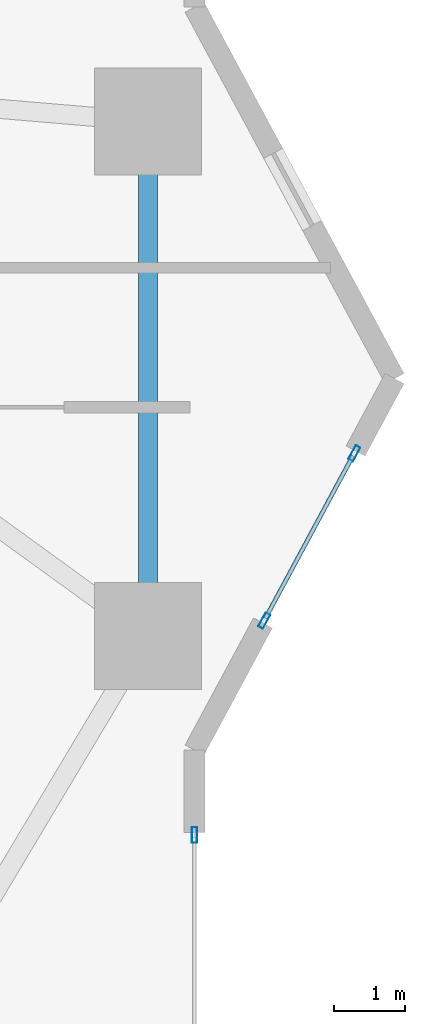
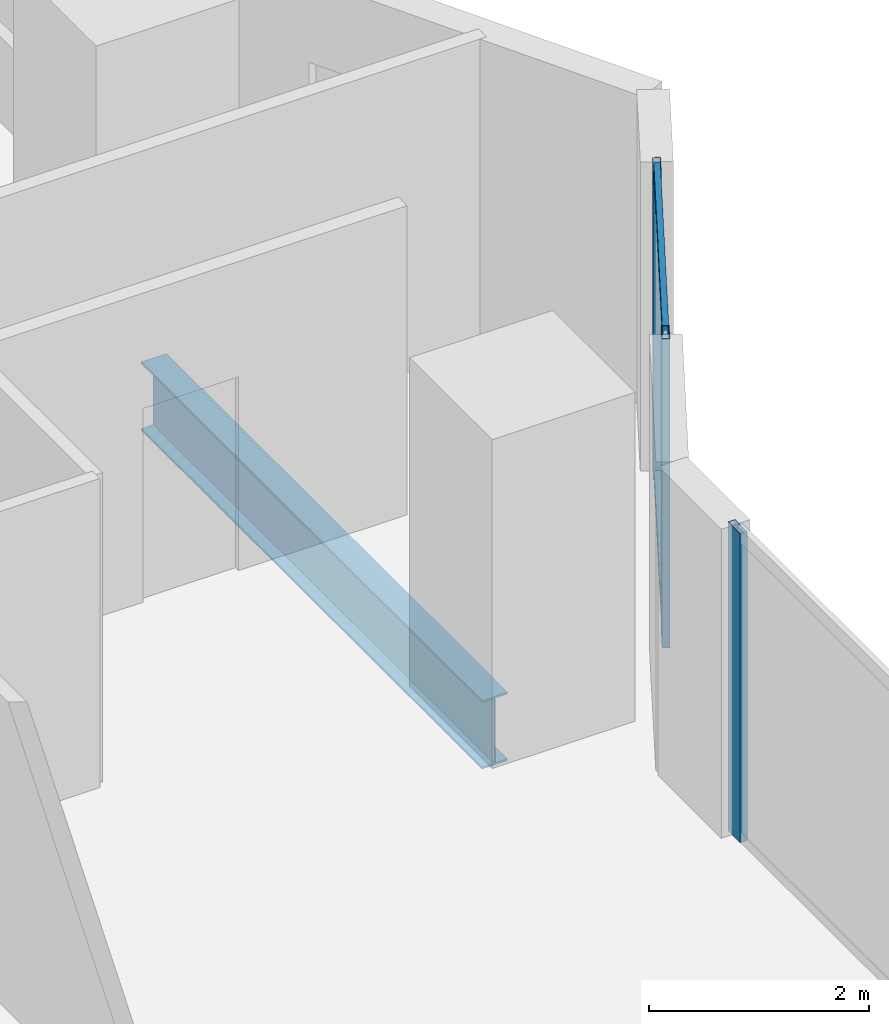
# One storey, part 12 of 28: 5 members, 1 beam, 2 elements without a shape of their own.
"""IFC4 building model written with IfcOpenShell, lengths in metres."""

from ifc_helpers import new_model, si_unit, direction, frame, origin, origin_2d, place, context, subcontext, project, spatial, hollow_rectangle, i_section, extrude, material, layer, layer_set, material_profile, profile_set, type_object, element, aggregate, save


model = new_model("IFC4")

# Units and contexts
model_context = context("Model", 3, precision=1e-05, world=origin(), true_north=direction((0.0, 1.0)))
body_context = subcontext(model_context, "Body", "Model", "MODEL_VIEW")
ifc_project = project(units=[si_unit("LENGTHUNIT", "METRE"), si_unit("AREAUNIT", "SQUARE_METRE"), si_unit("VOLUMEUNIT", "CUBIC_METRE"), si_unit("PLANEANGLEUNIT", "RADIAN"), si_unit("MASSUNIT", "GRAM", prefix="KILO")], contexts=[model_context])

# Site, building, storey
site_placement = place(None, origin())
site = spatial("IfcSite", under=ifc_project, at=site_placement, CompositionType="ELEMENT")
building_placement = place(site_placement, origin())
building = spatial("IfcBuilding", under=site, at=building_placement, Name="Zuhayl Quay Hotel", CompositionType="ELEMENT")
storey_placement = place(building_placement, frame((0.0, 0.0, 56.800048828125)))
storey = spatial("IfcBuildingStorey", under=building, at=storey_placement, Name="L13", CompositionType="ELEMENT", Elevation=56.800048828125)

# Beam
ifc_material_1 = material(Name="Steel ASTM A992 Grade 50", Category="steel")
ifc_material_profile_1 = material_profile(ifc_material_1, i_section(OverallWidth=0.26708984375, OverallDepth=0.761962890625, WebThickness=0.014404296875, FlangeThickness=0.021484375, at=origin_2d()), Name="W30X116")
ifc_profile_set_1 = profile_set([ifc_material_profile_1], Name="Steel ASTM A992 Grade 50")
beam_type = type_object("IfcBeamType", Name="BM_B1_W30X116", PredefinedType="BEAM", material=ifc_profile_set_1)
beam_placement = place(storey_placement, frame((25.050048828125, -3.10009765625, -0.60107421875), z_axis=(0.0, 1.0, 0.0), x_axis=(-1.0, 0.0, 0.0)))
element("IfcBeam", 1, at=beam_placement, inside=storey, type_object=beam_type, Name="L13 Floor Beam RG_L13_05", PredefinedType="BEAM", context=body_context, shape_type="SweptSolid", body=[
    extrude(i_section(OverallWidth=0.26708984375, OverallDepth=0.761962890625, WebThickness=0.014404296875, FlangeThickness=0.021484375, at=origin_2d()), origin(), (0.0, 0.0, 1.0), 6.2001953125),
])

# Curtain wall, members
ifc_material_2 = material(Name="Anodised Aluminium 6063-T6", Category="aluminium")
ifc_layer = layer(ifc_material_2, 0.18994140625, Name="Anodised Aluminium 6063-T6", Category="aluminium")
ifc_layer_set = layer_set([ifc_layer], Name="Anodised Aluminium 6063-T6")
curtain_wall_type = type_object("IfcCurtainWallType", Name="CW_SYS_Z1", PredefinedType="USERDEFINED", material=ifc_layer_set)
curtain_wall_1_placement = place(storey_placement, origin())
curtain_wall_1 = element("IfcCurtainWall", 2, at=curtain_wall_1_placement, inside=storey, type_object=curtain_wall_type, Name="L13 Curtain Wall ENV_L13_E13_CW1", ObjectType="UNITISED CURTAIN WALL", PredefinedType="USERDEFINED")
ifc_material_3 = material(Name="Black-anodised aluminium 6063-T6", Category="aluminium")
ifc_material_profile_2 = material_profile(ifc_material_3, hollow_rectangle(XDim=0.074951171875, YDim=0.219970703125, WallThickness=0.00390625, at=origin_2d()), Name="ALU220X75")
ifc_profile_set_2 = profile_set([ifc_material_profile_2], Name="Black-anodised aluminium 6063-T6")
member_type_1 = type_object("IfcMemberType", Name="MB_CW_MUL_220", PredefinedType="MULLION", material=ifc_profile_set_2)
member_1_placement = place(storey_placement, frame((27.93701171875, -1.04541015625, 0.0), z_axis=(0.0, 0.0, 1.0), x_axis=(0.880475795468, -0.474091102632, 0.0)))
member_1 = element("IfcMember", 3, at=member_1_placement, type_object=member_type_1, Name="CW-Z1 mullion 1", PredefinedType="MULLION", context=body_context, shape_type="SweptSolid", body=[
    extrude(hollow_rectangle(XDim=0.074951171875, YDim=0.219970703125, WallThickness=0.00390625, at=origin_2d()), origin(), (0.0, 0.0, 1.0), 3.429931640625),
])
member_2_placement = place(storey_placement, frame((26.67578125, -3.387939453125, 0.0), z_axis=(0.0, 0.0, 1.0), x_axis=(0.880475795468, -0.474091102632, 0.0)))
member_2 = element("IfcMember", 4, at=member_2_placement, type_object=member_type_1, Name="CW-Z1 mullion 2", PredefinedType="MULLION", context=body_context, shape_type="SweptSolid", body=[
    extrude(hollow_rectangle(XDim=0.074951171875, YDim=0.219970703125, WallThickness=0.00390625, at=origin_2d()), origin(), (0.0, 0.0, 1.0), 3.429931640625),
])

# Curtain wall, member
curtain_wall_2_placement = place(storey_placement, origin())
curtain_wall_2 = element("IfcCurtainWall", 5, at=curtain_wall_2_placement, inside=storey, type_object=curtain_wall_type, Name="L13 Curtain Wall ENV_L13_E14_CW1", ObjectType="UNITISED CURTAIN WALL", PredefinedType="USERDEFINED")
member_3_placement = place(storey_placement, frame((25.699951171875, -6.387451171875, 0.0), z_axis=(0.0, 0.0, 1.0), x_axis=(1.0, 0.0, 0.0)))
member_3 = element("IfcMember", 6, at=member_3_placement, type_object=member_type_1, Name="CW-Z1 mullion 1", PredefinedType="MULLION", context=body_context, shape_type="SweptSolid", body=[
    extrude(hollow_rectangle(XDim=0.074951171875, YDim=0.219970703125, WallThickness=0.00390625, at=origin_2d()), origin(), (0.0, 0.0, 1.0), 3.429931640625),
])
aggregate(curtain_wall_2, [member_3])

# Member
ifc_material_profile_3 = material_profile(ifc_material_3, hollow_rectangle(XDim=0.06005859375, YDim=0.14990234375, WallThickness=0.00341796875, at=origin_2d()), Name="ALU150X60")
ifc_profile_set_3 = profile_set([ifc_material_profile_3], Name="Black-anodised aluminium 6063-T6")
member_type_2 = type_object("IfcMemberType", Name="MB_CW_TRN_150", PredefinedType="USERDEFINED", material=ifc_profile_set_3)
member_4_placement = place(storey_placement, frame((27.919189453125, -1.07861328125, 0.030029296875), z_axis=(-0.474054771703, -0.880495356845, 0.0), x_axis=(0.880495356845, -0.474054771703, 0.0)))
member_4 = element("IfcMember", 7, at=member_4_placement, type_object=member_type_2, Name="CW-Z1 transom 1.1", ObjectType="TRANSOM", PredefinedType="USERDEFINED", context=body_context, shape_type="SweptSolid", body=[
    extrude(hollow_rectangle(XDim=0.06005859375, YDim=0.14990234375, WallThickness=0.00341796875, at=origin_2d()), origin(), (0.0, 0.0, 1.0), 2.585205078125),
])

member_5_placement = place(storey_placement, frame((27.919189453125, -1.07861328125, 3.39990234375), z_axis=(-0.474054771703, -0.880495356845, 0.0), x_axis=(0.880495356845, -0.474054771703, 0.0)))
member_5 = element("IfcMember", 8, at=member_5_placement, type_object=member_type_2, Name="CW-Z1 transom 1.2", ObjectType="TRANSOM", PredefinedType="USERDEFINED", context=body_context, shape_type="SweptSolid", body=[
    extrude(hollow_rectangle(XDim=0.06005859375, YDim=0.14990234375, WallThickness=0.00341796875, at=origin_2d()), origin(), (0.0, 0.0, 1.0), 2.585205078125),
])

aggregate(curtain_wall_1, [member_1, member_2, member_4, member_5])

save(model, "model.ifc")
